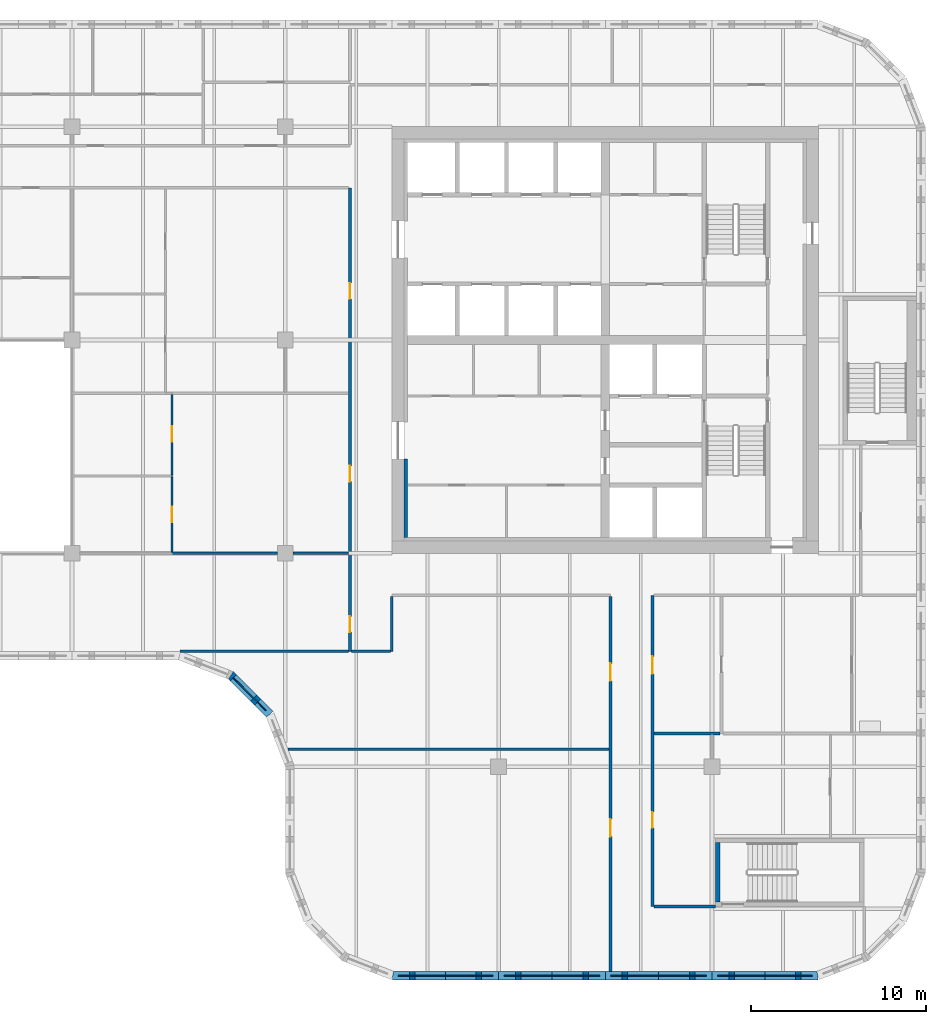
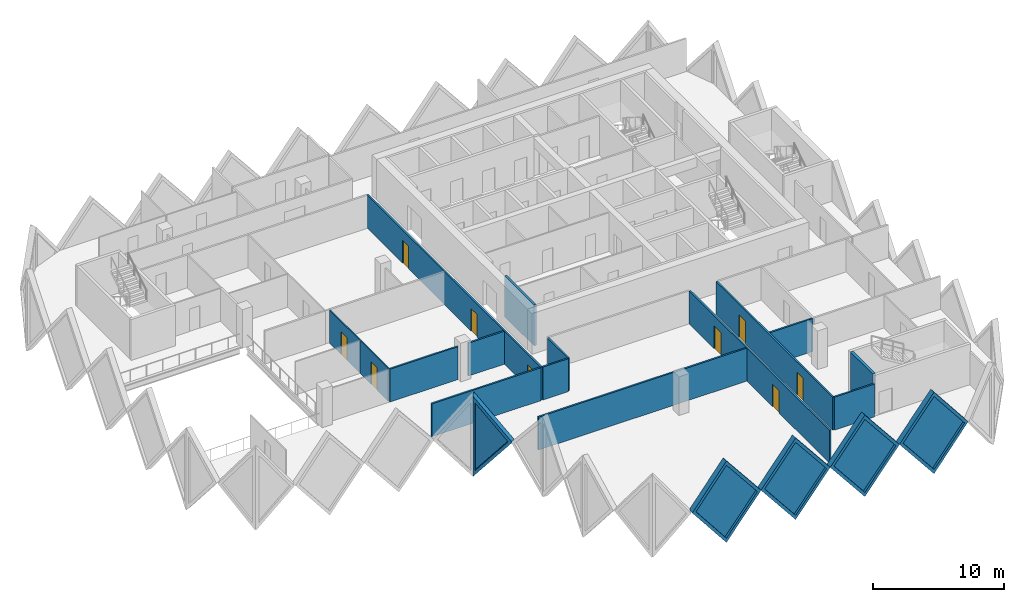
# One storey, part 4 of 12: 20 walls, 9 doors, 5 plates, 14 openings.
"""IFC4 building model written with IfcOpenShell, lengths in metres."""

from ifc_helpers import new_model, si_unit, direction, frame, frame_2d, origin, place, context, subcontext, project, spatial, polyline, rectangle, outline, extrude, faceted_brep, source, transform, mapped, material, layer, layer_set, type_object, element, fill, save


model = new_model("IFC4")

# Units and contexts
model_context = context("Model", 3, precision=1e-05, world=origin(), true_north=direction((0.0, 1.0)))
body_context = subcontext(model_context, "Body", "Model", "MODEL_VIEW")
ifc_project = project(units=[si_unit("LENGTHUNIT", "METRE"), si_unit("AREAUNIT", "SQUARE_METRE"), si_unit("VOLUMEUNIT", "CUBIC_METRE"), si_unit("PLANEANGLEUNIT", "RADIAN"), si_unit("MASSUNIT", "GRAM", prefix="KILO")], contexts=[model_context])

# Site, building, storey
site_placement = place(None, origin())
site = spatial("IfcSite", under=ifc_project, at=site_placement, CompositionType="ELEMENT")
building_placement = place(site_placement, origin())
building = spatial("IfcBuilding", under=site, at=building_placement, Name="Tessera Gate Towers", CompositionType="ELEMENT")
storey_placement = place(building_placement, frame((0.0, 0.0, 124.0)))
storey = spatial("IfcBuildingStorey", under=building, at=storey_placement, Name="L30", CompositionType="ELEMENT", Elevation=124.0)

# Walls
ifc_material_1 = material(Name="Concrete C40/50", Category="concrete")
ifc_layer_1 = layer(ifc_material_1, 0.25)
ifc_layer_set_1 = layer_set([ifc_layer_1], Name="CORE ENCLOSURE WALL 250")
wall_type_1 = type_object("IfcWallType", Name="CORE ENCLOSURE WALL 250", PredefinedType="SOLIDWALL", material=ifc_layer_set_1)
wall_1_placement = place(storey_placement, frame((49.125, 4.449951171875, 0.0), z_axis=(0.0, 0.0, 1.0), x_axis=(0.0, 1.0, 0.0)))
element("IfcWall", 1, at=wall_1_placement, inside=storey, type_object=wall_type_1, Name="L30 ST4 enclosure wall", PredefinedType="SOLIDWALL", context=body_context, shape_type="SweptSolid", body=[
    extrude(rectangle(XDim=3.400146484375, YDim=0.25, at=frame_2d((1.7001953125, 0.0))), origin(), (0.0, 0.0, 1.0), 3.800048828125),
])
ifc_material_2 = material(Name="Concrete C60/75", Category="concrete")
ifc_layer_2 = layer(ifc_material_2, 0.199951171875)
ifc_layer_set_2 = layer_set([ifc_layer_2], Name="CORE WALL THICKENING 200")
wall_type_2 = type_object("IfcWallType", Name="CORE WALL THICKENING 200", PredefinedType="SOLIDWALL", material=ifc_layer_set_2)
wall_2_placement = place(storey_placement, frame((31.300048828125, 25.300048828125, 0.0), z_axis=(0.0, 0.0, 1.0), x_axis=(0.0, 1.0, 0.0)))
element("IfcWall", 2, at=wall_2_placement, inside=storey, type_object=wall_type_2, Name="Core wall thickening W L30", PredefinedType="SOLIDWALL", context=body_context, shape_type="SweptSolid", body=[
    extrude(rectangle(XDim=4.5, YDim=0.199951171875, at=frame_2d((2.25, 0.0))), origin(), (0.0, 0.0, 1.0), 3.800048828125),
])

# Wall, openings, doors
ifc_material_3 = material(Name="Gypsum board on steel studs, mineral wool", Category="steel")
ifc_layer_3 = layer(ifc_material_3, 0.14990234375)
ifc_layer_set_3 = layer_set([ifc_layer_3], Name="CORRIDOR WALL 150")
wall_type_3 = type_object("IfcWallType", Name="CORRIDOR WALL 150", PredefinedType="PARTITIONING", material=ifc_layer_set_3)
wall_3_placement = place(storey_placement, frame((43.0, 0.5, 0.0), z_axis=(0.0, 0.0, 1.0), x_axis=(0.0, 1.0, 0.0)))
wall_3 = element("IfcWall", 3, at=wall_3_placement, inside=storey, type_object=wall_type_3, Name="T1-L30-PW-001", PredefinedType="PARTITIONING", context=body_context, shape_type="SweptSolid", body=[
    extrude(rectangle(XDim=21.424072265625, YDim=0.14990234375, at=frame_2d((10.7119140625, 0.0))), origin(), (0.0, 0.0, 1.0), 3.06689453125),
])
shared_shape_1 = source(origin(), body_context, "Body", "SweptSolid", [
    extrude(rectangle(XDim=1.0, YDim=2.10009765625, at=frame_2d((0.5, 1.050048828125))), frame((0.0, 0.0849609375, 0.0), z_axis=(0.0, -1.0, 0.0), x_axis=(1.0, 0.0, 0.0)), (0.0, 0.0, 1.0), 0.169921875),
])
opening_1_placement = place(wall_3_placement, frame((16.60107421875, 0.0, 0.0)))
opening_1 = element("IfcOpeningElement", 4, at=opening_1_placement, cuts=wall_3, Name="Opening D2100FD60-A11-02", PredefinedType="OPENING", context=body_context, shape_type="MappedRepresentation", body=[
    mapped(shared_shape_1, transform((0.0, 0.0, 0.0), scale=1.0)),
])
opening_2_placement = place(wall_3_placement, frame((7.699951171875, 0.0, 0.0)))
opening_2 = element("IfcOpeningElement", 5, at=opening_2_placement, cuts=wall_3, Name="Opening D2100FD60-A11-03", PredefinedType="OPENING", context=body_context, shape_type="MappedRepresentation", body=[
    mapped(shared_shape_1, transform((0.0, 0.0, 0.0), scale=1.0)),
])
ifc_material_4 = material(Name="Timber door leaf in steel frame", Category="steel")
door_type_1 = type_object("IfcDoorType", Name="TENANCY ENTRANCE DOOR 1000 FD60", OperationType="NOTDEFINED", PredefinedType="DOOR", material=ifc_material_4)
shared_shape_2 = source(origin(), body_context, "Body", "SweptSolid", [
    extrude(rectangle(XDim=1.0, YDim=2.10009765625, at=frame_2d((0.5, 1.050048828125))), frame((0.0, 0.02490234375, 0.0), z_axis=(0.0, -1.0, 0.0), x_axis=(1.0, 0.0, 0.0)), (0.0, 0.0, 1.0), 0.050048828125),
])
door_1_placement = place(opening_1_placement, origin())
door_1 = element("IfcDoor", 6, at=door_1_placement, inside=storey, type_object=door_type_1, Name="T1-L30-PD-018", OperationType="SINGLE_SWING_LEFT", OverallHeight=2.10009765625, OverallWidth=1.0, PredefinedType="DOOR", context=body_context, shape_type="MappedRepresentation", body=[
    mapped(shared_shape_2, transform((0.0, 0.0, 0.0), scale=1.0)),
])
fill(opening_1, door_1)
door_2_placement = place(opening_2_placement, origin())
door_2 = element("IfcDoor", 7, at=door_2_placement, inside=storey, type_object=door_type_1, Name="T1-L30-PD-019", OperationType="SINGLE_SWING_LEFT", OverallHeight=2.10009765625, OverallWidth=1.0, PredefinedType="DOOR", context=body_context, shape_type="MappedRepresentation", body=[
    mapped(shared_shape_2, transform((0.0, 0.0, 0.0), scale=1.0)),
])
fill(opening_2, door_2)

wall_4_placement = place(storey_placement, frame((45.39990234375, 22.0, 0.0), z_axis=(0.0, 0.0, 1.0), x_axis=(0.0, -1.0, 0.0)))
wall_4 = element("IfcWall", 8, at=wall_4_placement, inside=storey, type_object=wall_type_3, Name="T1-L30-PW-003", PredefinedType="PARTITIONING", context=body_context, shape_type="SweptSolid", body=[
    extrude(rectangle(XDim=17.800048828125, YDim=0.14990234375, at=frame_2d((8.89990234375, 0.0))), origin(), (0.0, 0.0, 1.0), 3.06689453125),
])
opening_3_placement = place(wall_4_placement, frame((3.4990234375, 0.0, 0.0)))
opening_3 = element("IfcOpeningElement", 9, at=opening_3_placement, cuts=wall_4, Name="Opening D2100FD60-A11-01", PredefinedType="OPENING", context=body_context, shape_type="MappedRepresentation", body=[
    mapped(shared_shape_1, transform((0.0, 0.0, 0.0), scale=1.0)),
])
shared_shape_3 = source(origin(), body_context, "Body", "SweptSolid", [
    extrude(rectangle(XDim=0.89990234375, YDim=2.10009765625, at=frame_2d((0.449951171875, 1.050048828125))), frame((0.0, 0.0849609375, 0.0), z_axis=(0.0, -1.0, 0.0), x_axis=(1.0, 0.0, 0.0)), (0.0, 0.0, 1.0), 0.169921875),
])
opening_4_placement = place(wall_4_placement, frame((12.39990234375, 0.0, 0.0)))
opening_4 = element("IfcOpeningElement", 10, at=opening_4_placement, cuts=wall_4, Name="Opening D890FD60-A11-05", PredefinedType="OPENING", context=body_context, shape_type="MappedRepresentation", body=[
    mapped(shared_shape_3, transform((0.0, 0.0, 0.0), scale=1.0)),
])
ifc_material_5 = material(Name="Timber door leaf in steel frame", Category="steel")
door_type_2 = type_object("IfcDoorType", Name="CORRIDOR DOOR 900 FD60", OperationType="NOTDEFINED", PredefinedType="DOOR", material=ifc_material_5)
shared_shape_4 = source(origin(), body_context, "Body", "SweptSolid", [
    extrude(rectangle(XDim=0.89990234375, YDim=2.10009765625, at=frame_2d((0.449951171875, 1.050048828125))), frame((0.0, 0.02490234375, 0.0), z_axis=(0.0, -1.0, 0.0), x_axis=(1.0, 0.0, 0.0)), (0.0, 0.0, 1.0), 0.050048828125),
])
door_3_placement = place(opening_4_placement, origin())
door_3 = element("IfcDoor", 11, at=door_3_placement, inside=storey, type_object=door_type_2, Name="T1-L30-PD-021", OperationType="SINGLE_SWING_RIGHT", OverallHeight=2.10009765625, OverallWidth=0.89990234375, PredefinedType="DOOR", context=body_context, shape_type="MappedRepresentation", body=[
    mapped(shared_shape_4, transform((0.0, 0.0, 0.0), scale=1.0)),
])
fill(opening_4, door_3)
door_4_placement = place(opening_3_placement, origin())
door_4 = element("IfcDoor", 12, at=door_4_placement, inside=storey, type_object=door_type_1, Name="T1-L30-PD-014", OperationType="SINGLE_SWING_RIGHT", OverallHeight=2.10009765625, OverallWidth=1.0, PredefinedType="DOOR", context=body_context, shape_type="MappedRepresentation", body=[
    mapped(shared_shape_2, transform((0.0, 0.0, 0.0), scale=1.0)),
])
fill(opening_3, door_4)

# Wall
wall_5_placement = place(storey_placement, frame((45.47607421875, 4.199951171875, 0.0), z_axis=(0.0, 0.0, 1.0), x_axis=(1.0, 0.0, 0.0)))
element("IfcWall", 13, at=wall_5_placement, inside=storey, type_object=wall_type_3, Name="T1-L30-PW-004", PredefinedType="PARTITIONING", context=body_context, shape_type="SweptSolid", body=[
    extrude(rectangle(XDim=3.52392578125, YDim=0.14990234375, at=frame_2d((1.761962890625, 0.0))), origin(), (0.0, 0.0, 1.0), 3.06689453125),
])

# Wall, openings, doors
wall_6_placement = place(storey_placement, frame((28.10009765625, 18.800048828125, 0.0), z_axis=(0.0, 0.0, 1.0), x_axis=(0.0, 1.0, 0.0)))
wall_6 = element("IfcWall", 14, at=wall_6_placement, inside=storey, type_object=wall_type_3, Name="T1-L30-PW-013", PredefinedType="PARTITIONING", context=body_context, shape_type="SweptSolid", body=[
    extrude(rectangle(XDim=26.5, YDim=0.14990234375, at=frame_2d((13.25, 0.0))), origin(), (0.0, 0.0, 1.0), 3.06689453125),
])
opening_5_placement = place(wall_6_placement, frame((1.10009765625, 0.0, 0.0)))
opening_5 = element("IfcOpeningElement", 15, at=opening_5_placement, cuts=wall_6, Name="Opening D890FD60-A11-01", PredefinedType="OPENING", context=body_context, shape_type="MappedRepresentation", body=[
    mapped(shared_shape_3, transform((0.0, 0.0, 0.0), scale=1.0)),
])
opening_6_placement = place(wall_6_placement, frame((9.699951171875, 0.0, 0.0)))
opening_6 = element("IfcOpeningElement", 16, at=opening_6_placement, cuts=wall_6, Name="Opening D890FD60-A11-04", PredefinedType="OPENING", context=body_context, shape_type="MappedRepresentation", body=[
    mapped(shared_shape_3, transform((0.0, 0.0, 0.0), scale=1.0)),
])
opening_7_placement = place(wall_6_placement, frame((20.14990234375, 0.0, 0.0)))
opening_7 = element("IfcOpeningElement", 17, at=opening_7_placement, cuts=wall_6, Name="Opening D890FD60-A11-06", PredefinedType="OPENING", context=body_context, shape_type="MappedRepresentation", body=[
    mapped(shared_shape_3, transform((0.0, 0.0, 0.0), scale=1.0)),
])
door_5_placement = place(opening_5_placement, origin())
door_5 = element("IfcDoor", 18, at=door_5_placement, inside=storey, type_object=door_type_2, Name="T1-L30-PD-001", OperationType="SINGLE_SWING_LEFT", OverallHeight=2.10009765625, OverallWidth=0.89990234375, PredefinedType="DOOR", context=body_context, shape_type="MappedRepresentation", body=[
    mapped(shared_shape_4, transform((0.0, 0.0, 0.0), scale=1.0)),
])
fill(opening_5, door_5)
door_6_placement = place(opening_6_placement, origin())
door_6 = element("IfcDoor", 19, at=door_6_placement, inside=storey, type_object=door_type_2, Name="T1-L30-PD-020", OperationType="SINGLE_SWING_LEFT", OverallHeight=2.10009765625, OverallWidth=0.89990234375, PredefinedType="DOOR", context=body_context, shape_type="MappedRepresentation", body=[
    mapped(shared_shape_4, transform((0.0, 0.0, 0.0), scale=1.0)),
])
fill(opening_6, door_6)
door_7_placement = place(opening_7_placement, origin())
door_7 = element("IfcDoor", 20, at=door_7_placement, inside=storey, type_object=door_type_2, Name="T1-L30-PD-022", OperationType="SINGLE_SWING_LEFT", OverallHeight=2.10009765625, OverallWidth=0.89990234375, PredefinedType="DOOR", context=body_context, shape_type="MappedRepresentation", body=[
    mapped(shared_shape_4, transform((0.0, 0.0, 0.0), scale=1.0)),
])
fill(opening_7, door_7)

# Walls
wall_7_placement = place(storey_placement, frame((28.176025390625, 18.800048828125, 0.0), z_axis=(0.0, 0.0, 1.0), x_axis=(1.0, 0.0, 0.0)))
element("IfcWall", 21, at=wall_7_placement, inside=storey, type_object=wall_type_3, Name="T1-L30-PW-014", PredefinedType="PARTITIONING", context=body_context, shape_type="SweptSolid", body=[
    extrude(rectangle(XDim=2.248046875, YDim=0.14990234375, at=frame_2d((1.1240234375, 0.0))), origin(), (0.0, 0.0, 1.0), 3.06689453125),
])
wall_8_placement = place(storey_placement, frame((30.5, 18.800048828125, 0.0), z_axis=(0.0, 0.0, 1.0), x_axis=(0.0, 1.0, 0.0)))
element("IfcWall", 22, at=wall_8_placement, inside=storey, type_object=wall_type_3, Name="T1-L30-PW-015", PredefinedType="PARTITIONING", context=body_context, shape_type="SweptSolid", body=[
    extrude(rectangle(XDim=3.1240234375, YDim=0.14990234375, at=frame_2d((1.56201171875, 0.0))), origin(), (0.0, 0.0, 1.0), 3.06689453125),
])

# Wall, opening, door
ifc_material_6 = material(Name="Glass", Category="glass")
ifc_layer_4 = layer(ifc_material_6, 0.10009765625)
ifc_layer_set_4 = layer_set([ifc_layer_4], Name="GLAZED PARTITION 100")
wall_type_4 = type_object("IfcWallType", Name="GLAZED PARTITION 100", PredefinedType="PARTITIONING", material=ifc_layer_set_4)
wall_9_placement = place(storey_placement, frame((17.925048828125, 24.47607421875, 0.0), z_axis=(0.0, 0.0, 1.0), x_axis=(0.0, 1.0, 0.0)))
wall_9 = element("IfcWall", 23, at=wall_9_placement, inside=storey, type_object=wall_type_4, Name="T1-L30-PW-024", PredefinedType="PARTITIONING", context=body_context, shape_type="SweptSolid", body=[
    extrude(rectangle(XDim=4.293212890625, YDim=0.10009765625, at=frame_2d((2.146484375, 0.0))), origin(), (0.0, 0.0, 1.0), 3.06689453125),
])
shared_shape_5 = source(origin(), body_context, "Body", "SweptSolid", [
    extrude(rectangle(XDim=0.89990234375, YDim=2.10009765625, at=frame_2d((0.449951171875, 1.050048828125))), frame((0.0, 0.06005859375, 0.0), z_axis=(0.0, -1.0, 0.0), x_axis=(1.0, 0.0, 0.0)), (0.0, 0.0, 1.0), 0.1201171875),
])
opening_8_placement = place(wall_9_placement, frame((1.699951171875, 0.0, 0.0)))
opening_8 = element("IfcOpeningElement", 24, at=opening_8_placement, cuts=wall_9, Name="Opening D690-A11-01", PredefinedType="OPENING", context=body_context, shape_type="MappedRepresentation", body=[
    mapped(shared_shape_5, transform((0.0, 0.0, 0.0), scale=1.0)),
])
ifc_material_7 = material(Name="Glass in aluminium frame", Category="aluminium")
door_type_3 = type_object("IfcDoorType", Name="GLAZED DOOR 900 NOT RATED", OperationType="NOTDEFINED", PredefinedType="DOOR", material=ifc_material_7)
door_8_placement = place(opening_8_placement, origin())
door_8 = element("IfcDoor", 25, at=door_8_placement, inside=storey, type_object=door_type_3, Name="T1-L30-PD-002", OperationType="SINGLE_SWING_LEFT", OverallHeight=2.10009765625, OverallWidth=0.89990234375, PredefinedType="DOOR", context=body_context, shape_type="MappedRepresentation", body=[
    mapped(shared_shape_4, transform((0.0, 0.0, 0.0), scale=1.0)),
])
fill(opening_8, door_8)

wall_10_placement = place(storey_placement, frame((17.925048828125, 28.871337890625, 0.0), z_axis=(0.0, 0.0, 1.0), x_axis=(0.0, 1.0, 0.0)))
wall_10 = element("IfcWall", 26, at=wall_10_placement, inside=storey, type_object=wall_type_4, Name="T1-L30-PW-026", PredefinedType="PARTITIONING", context=body_context, shape_type="SweptSolid", body=[
    extrude(rectangle(XDim=4.602783203125, YDim=0.10009765625, at=frame_2d((2.30126953125, 0.0))), origin(), (0.0, 0.0, 1.0), 3.06689453125),
])
opening_9_placement = place(wall_10_placement, frame((1.89990234375, 0.0, 0.0)))
opening_9 = element("IfcOpeningElement", 27, at=opening_9_placement, cuts=wall_10, Name="Opening D690-A11-02", PredefinedType="OPENING", context=body_context, shape_type="MappedRepresentation", body=[
    mapped(shared_shape_5, transform((0.0, 0.0, 0.0), scale=1.0)),
])
door_9_placement = place(opening_9_placement, origin())
door_9 = element("IfcDoor", 28, at=door_9_placement, inside=storey, type_object=door_type_3, Name="T1-L30-PD-003", OperationType="SINGLE_SWING_LEFT", OverallHeight=2.10009765625, OverallWidth=0.89990234375, PredefinedType="DOOR", context=body_context, shape_type="MappedRepresentation", body=[
    mapped(shared_shape_4, transform((0.0, 0.0, 0.0), scale=1.0)),
])
fill(opening_9, door_9)

# Walls
ifc_material_8 = material(Name="Gypsum board on steel studs, mineral wool", Category="steel")
ifc_layer_5 = layer(ifc_material_8, 0.14990234375)
ifc_layer_set_5 = layer_set([ifc_layer_5], Name="TENANCY WALL 150")
wall_type_5 = type_object("IfcWallType", Name="TENANCY WALL 150", PredefinedType="PARTITIONING", material=ifc_layer_set_5)
wall_11_placement = place(storey_placement, frame((24.55029296875, 13.199951171875, 0.0), z_axis=(0.0, 0.0, 1.0), x_axis=(1.0, 0.0, 0.0)))
element("IfcWall", 29, at=wall_11_placement, inside=storey, type_object=wall_type_5, Name="T1-L30-PW-007", PredefinedType="PARTITIONING", context=body_context, shape_type="SweptSolid", body=[
    extrude(rectangle(XDim=18.373779296875, YDim=0.14990234375, at=frame_2d((9.18701171875, 0.0))), origin(), (0.0, 0.0, 1.0), 3.06689453125),
])
wall_12_placement = place(storey_placement, frame((45.47607421875, 14.10009765625, 0.0), z_axis=(0.0, 0.0, 1.0), x_axis=(1.0, 0.0, 0.0)))
element("IfcWall", 30, at=wall_12_placement, inside=storey, type_object=wall_type_5, Name="T1-L30-PW-008", PredefinedType="PARTITIONING", context=body_context, shape_type="SweptSolid", body=[
    extrude(rectangle(XDim=3.7978515625, YDim=0.14990234375, at=frame_2d((1.89892578125, 0.0))), origin(), (0.0, 0.0, 1.0), 3.06689453125),
])
wall_13_placement = place(storey_placement, frame((18.39306640625, 18.800048828125, 0.0), z_axis=(0.0, 0.0, 1.0), x_axis=(1.0, 0.0, 0.0)))
element("IfcWall", 31, at=wall_13_placement, inside=storey, type_object=wall_type_5, Name="T1-L30-PW-012", PredefinedType="PARTITIONING", context=body_context, shape_type="SweptSolid", body=[
    extrude(rectangle(XDim=9.630859375, YDim=0.14990234375, at=frame_2d((4.8154296875, 0.0))), origin(), (0.0, 0.0, 1.0), 3.06689453125),
])
wall_14_placement = place(storey_placement, frame((17.925048828125, 24.39990234375, 0.0), z_axis=(0.0, 0.0, 1.0), x_axis=(1.0, 0.0, 0.0)))
element("IfcWall", 32, at=wall_14_placement, inside=storey, type_object=wall_type_5, Name="T1-L30-PW-022", PredefinedType="PARTITIONING", context=body_context, shape_type="SweptSolid", body=[
    extrude(rectangle(XDim=6.02392578125, YDim=0.14990234375, at=frame_2d((3.011962890625, 0.0))), origin(), (0.0, 0.0, 1.0), 3.06689453125),
])
wall_15_placement = place(storey_placement, frame((24.85107421875, 24.39990234375, 0.0), z_axis=(0.0, 0.0, 1.0), x_axis=(1.0, 0.0, 0.0)))
element("IfcWall", 33, at=wall_15_placement, inside=storey, type_object=wall_type_5, Name="T1-L30-PW-023", PredefinedType="PARTITIONING", context=body_context, shape_type="SweptSolid", body=[
    extrude(rectangle(XDim=3.1728515625, YDim=0.14990234375, at=frame_2d((1.58642578125, 0.0))), origin(), (0.0, 0.0, 1.0), 3.06689453125),
])

# Wall, opening, plate
ifc_material_9 = material(Name="Precast concrete C60/75 white", Category="concrete")
ifc_layer_6 = layer(ifc_material_9, 0.5)
ifc_layer_set_6 = layer_set([ifc_layer_6], Name="TS1 tessera")
wall_type_6 = type_object("IfcWallType", Name="TS1 tessera", PredefinedType="SOLIDWALL", material=ifc_layer_set_6)
shared_shape_6 = source(origin(), body_context, "Body", "Brep", [
    faceted_brep([(3.00341796875, -0.25, 0.0), (6.053466796875, -0.25, 3.800048828125), (3.00341796875, -0.25, 7.60009765625), (0.0, -0.25, 3.800048828125), (0.046630859375, 0.25, 3.85888671875), (3.00341796875, 0.25, 7.60009765625), (6.053466796875, 0.25, 3.800048828125), (3.00341796875, 0.25, 0.0), (0.046630859375, 0.25, 3.7412109375), (0.0, 0.0, 3.800048828125)], [[[0, 1, 2, 3]], [[4, 5, 6, 7, 8]], [[7, 6, 1, 0]], [[6, 5, 2, 1]], [[5, 4, 9, 3, 2]], [[8, 7, 0, 3, 9]], [[8, 9, 4]]]),
])
wall_16_placement = place(storey_placement, frame((30.546630859375, 0.25, -3.800048828125), z_axis=(0.0, 0.0, 1.0), x_axis=(1.0, 0.0, 0.0)))
wall_16 = element("IfcWall", 34, at=wall_16_placement, inside=storey, type_object=wall_type_6, Name="Precast tessera T1 TS1-0483", PredefinedType="SOLIDWALL", context=body_context, shape_type="MappedRepresentation", body=[
    mapped(shared_shape_6, transform((0.0, 0.0, 0.0), scale=1.0)),
])
shared_shape_7 = source(origin(), body_context, "Body", "SweptSolid", [
    extrude(outline(polyline([(3.0048828125, 0.4013671875), (5.73291015625, 3.800048828125), (3.0048828125, 7.19873046875), (0.318603515625, 3.800048828125), (3.0048828125, 0.4013671875)])), frame((0.0, 0.260009765625, 0.0), z_axis=(0.0, -1.0, 0.0), x_axis=(1.0, 0.0, 0.0)), (0.0, 0.0, 1.0), 0.52001953125),
])
opening_10_placement = place(wall_16_placement, origin())
opening_10 = element("IfcOpeningElement", 35, at=opening_10_placement, cuts=wall_16, Name="Opening T1-PL2-0987", PredefinedType="OPENING", context=body_context, shape_type="MappedRepresentation", body=[
    mapped(shared_shape_7, transform((0.0, 0.0, 0.0), scale=1.0)),
])
ifc_material_10 = material(Name="Low-e laminated glass", Category="glass")
ifc_layer_7 = layer(ifc_material_10, 0.06005859375)
ifc_layer_set_7 = layer_set([ifc_layer_7], Name="PL2 rhombic pane")
plate_type = type_object("IfcPlateType", Name="PL2 rhombic pane", PredefinedType="SHEET", material=ifc_layer_set_7)
shared_shape_8 = source(origin(), body_context, "Body", "SweptSolid", [
    extrude(outline(polyline([(3.0048828125, 0.4013671875), (5.73291015625, 3.800048828125), (3.0048828125, 7.19873046875), (0.318603515625, 3.800048828125), (3.0048828125, 0.4013671875)])), frame((0.0, 0.030029296875, 0.0), z_axis=(0.0, -1.0, 0.0), x_axis=(1.0, 0.0, 0.0)), (0.0, 0.0, 1.0), 0.06005859375),
])
plate_1_placement = place(opening_10_placement, origin())
plate_1 = element("IfcPlate", 36, at=plate_1_placement, inside=storey, type_object=plate_type, Name="Glass pane T1 PL2-0987", PredefinedType="SHEET", context=body_context, shape_type="MappedRepresentation", body=[
    mapped(shared_shape_8, transform((0.0, 0.0, 0.0), scale=1.0)),
])
fill(opening_10, plate_1)

shared_shape_9 = source(origin(), body_context, "Body", "Brep", [
    faceted_brep([(3.050048828125, -0.25, 0.0), (6.099853515625, -0.25, 3.7998046875), (6.099853515625, -0.25, 3.80029296875), (3.050048828125, -0.25, 7.60009765625), (0.0, -0.25, 3.800048828125), (0.0, 0.25, 3.800048828125), (3.050048828125, 0.25, 7.60009765625), (6.099853515625, 0.25, 3.80029296875), (6.099853515625, 0.25, 3.7998046875), (3.050048828125, 0.25, 0.0)], [[[0, 1, 2, 3, 4]], [[5, 6, 7, 8, 9]], [[9, 8, 1, 0]], [[7, 6, 3, 2]], [[6, 5, 4, 3]], [[5, 9, 0, 4]], [[1, 8, 7, 2]]]),
])
wall_17_placement = place(storey_placement, frame((36.60009765625, 0.25, -3.800048828125), z_axis=(0.0, 0.0, 1.0), x_axis=(1.0, 0.0, 0.0)))
wall_17 = element("IfcWall", 37, at=wall_17_placement, inside=storey, type_object=wall_type_6, Name="Precast tessera T1 TS1-0484", PredefinedType="SOLIDWALL", context=body_context, shape_type="MappedRepresentation", body=[
    mapped(shared_shape_9, transform((0.0, 0.0, 0.0), scale=1.0)),
])
shared_shape_10 = source(origin(), body_context, "Body", "SweptSolid", [
    extrude(outline(polyline([(3.050048828125, 0.3994140625), (5.779541015625, 3.800048828125), (3.050048828125, 7.20068359375), (0.320556640625, 3.800048828125), (3.050048828125, 0.3994140625)])), frame((0.0, 0.260009765625, 0.0), z_axis=(0.0, -1.0, 0.0), x_axis=(1.0, 0.0, 0.0)), (0.0, 0.0, 1.0), 0.52001953125),
])
opening_11_placement = place(wall_17_placement, origin())
opening_11 = element("IfcOpeningElement", 38, at=opening_11_placement, cuts=wall_17, Name="Opening T1-PL2-0988", PredefinedType="OPENING", context=body_context, shape_type="MappedRepresentation", body=[
    mapped(shared_shape_10, transform((0.0, 0.0, 0.0), scale=1.0)),
])
shared_shape_11 = source(origin(), body_context, "Body", "SweptSolid", [
    extrude(outline(polyline([(3.050048828125, 0.3994140625), (5.779541015625, 3.800048828125), (3.050048828125, 7.20068359375), (0.320556640625, 3.800048828125), (3.050048828125, 0.3994140625)])), frame((0.0, 0.030029296875, 0.0), z_axis=(0.0, -1.0, 0.0), x_axis=(1.0, 0.0, 0.0)), (0.0, 0.0, 1.0), 0.06005859375),
])
plate_2_placement = place(opening_11_placement, origin())
plate_2 = element("IfcPlate", 39, at=plate_2_placement, inside=storey, type_object=plate_type, Name="Glass pane T1 PL2-0988", PredefinedType="SHEET", context=body_context, shape_type="MappedRepresentation", body=[
    mapped(shared_shape_11, transform((0.0, 0.0, 0.0), scale=1.0)),
])
fill(opening_11, plate_2)

shared_shape_12 = source(origin(), body_context, "Body", "SweptSolid", [
    extrude(outline(polyline([(3.050048828125, 0.0), (6.10009765625, 3.800048828125), (3.050048828125, 7.60009765625), (0.0, 3.800048828125), (3.050048828125, 0.0)])), frame((0.0, 0.25, 0.0), z_axis=(0.0, -1.0, 0.0), x_axis=(1.0, 0.0, 0.0)), (0.0, 0.0, 1.0), 0.5),
])
wall_18_placement = place(storey_placement, frame((42.699951171875, 0.25, -3.800048828125), z_axis=(0.0, 0.0, 1.0), x_axis=(1.0, 0.0, 0.0)))
wall_18 = element("IfcWall", 40, at=wall_18_placement, inside=storey, type_object=wall_type_6, Name="Precast tessera T1 TS1-0485", PredefinedType="SOLIDWALL", context=body_context, shape_type="MappedRepresentation", body=[
    mapped(shared_shape_12, transform((0.0, 0.0, 0.0), scale=1.0)),
])
opening_12_placement = place(wall_18_placement, origin())
opening_12 = element("IfcOpeningElement", 41, at=opening_12_placement, cuts=wall_18, Name="Opening T1-PL2-0989", PredefinedType="OPENING", context=body_context, shape_type="MappedRepresentation", body=[
    mapped(shared_shape_10, transform((0.0, 0.0, 0.0), scale=1.0)),
])
plate_3_placement = place(opening_12_placement, origin())
plate_3 = element("IfcPlate", 42, at=plate_3_placement, inside=storey, type_object=plate_type, Name="Glass pane T1 PL2-0989", PredefinedType="SHEET", context=body_context, shape_type="MappedRepresentation", body=[
    mapped(shared_shape_11, transform((0.0, 0.0, 0.0), scale=1.0)),
])
fill(opening_12, plate_3)

shared_shape_13 = source(origin(), body_context, "Body", "Brep", [
    faceted_brep([(3.050048828125, -0.25, 0.0), (6.053466796875, -0.25, 3.800048828125), (3.050048828125, -0.25, 7.60009765625), (0.0, -0.25, 3.800048828125), (0.0, 0.25, 3.800048828125), (3.050048828125, 0.25, 7.60009765625), (6.0068359375, 0.25, 3.85888671875), (6.0068359375, 0.25, 3.7412109375), (3.050048828125, 0.25, 0.0), (6.053466796875, 0.0, 3.800048828125)], [[[0, 1, 2, 3]], [[4, 5, 6, 7, 8]], [[8, 7, 9, 1, 0]], [[6, 5, 2, 1, 9]], [[5, 4, 3, 2]], [[4, 8, 0, 3]], [[9, 7, 6]]]),
])
wall_19_placement = place(storey_placement, frame((48.800048828125, 0.25, -3.800048828125), z_axis=(0.0, 0.0, 1.0), x_axis=(1.0, 0.0, 0.0)))
wall_19 = element("IfcWall", 43, at=wall_19_placement, inside=storey, type_object=wall_type_6, Name="Precast tessera T1 TS1-0486", PredefinedType="SOLIDWALL", context=body_context, shape_type="MappedRepresentation", body=[
    mapped(shared_shape_13, transform((0.0, 0.0, 0.0), scale=1.0)),
])
shared_shape_14 = source(origin(), body_context, "Body", "SweptSolid", [
    extrude(outline(polyline([(3.048583984375, 0.4013671875), (5.73486328125, 3.800048828125), (3.048583984375, 7.19873046875), (0.320556640625, 3.800048828125), (3.048583984375, 0.4013671875)])), frame((0.0, 0.260009765625, 0.0), z_axis=(0.0, -1.0, 0.0), x_axis=(1.0, 0.0, 0.0)), (0.0, 0.0, 1.0), 0.52001953125),
])
opening_13_placement = place(wall_19_placement, origin())
opening_13 = element("IfcOpeningElement", 44, at=opening_13_placement, cuts=wall_19, Name="Opening T1-PL2-0990", PredefinedType="OPENING", context=body_context, shape_type="MappedRepresentation", body=[
    mapped(shared_shape_14, transform((0.0, 0.0, 0.0), scale=1.0)),
])
shared_shape_15 = source(origin(), body_context, "Body", "SweptSolid", [
    extrude(outline(polyline([(3.048583984375, 0.4013671875), (5.73486328125, 3.800048828125), (3.048583984375, 7.19873046875), (0.320556640625, 3.800048828125), (3.048583984375, 0.4013671875)])), frame((0.0, 0.030029296875, 0.0), z_axis=(0.0, -1.0, 0.0), x_axis=(1.0, 0.0, 0.0)), (0.0, 0.0, 1.0), 0.06005859375),
])
plate_4_placement = place(opening_13_placement, origin())
plate_4 = element("IfcPlate", 45, at=plate_4_placement, inside=storey, type_object=plate_type, Name="Glass pane T1 PL2-0990", PredefinedType="SHEET", context=body_context, shape_type="MappedRepresentation", body=[
    mapped(shared_shape_15, transform((0.0, 0.0, 0.0), scale=1.0)),
])
fill(opening_13, plate_4)

ifc_material_11 = material(Name="Precast concrete C60/75 white", Category="concrete")
ifc_layer_8 = layer(ifc_material_11, 0.5)
ifc_layer_set_8 = layer_set([ifc_layer_8], Name="TS3 corner tessera")
wall_type_7 = type_object("IfcWallType", Name="TS3 corner tessera", PredefinedType="SOLIDWALL", material=ifc_layer_set_8)
shared_shape_16 = source(origin(), body_context, "Body", "Brep", [
    faceted_brep([(0.10595703125, -0.25, 0.063720703125), (3.156005859375, -0.25, 3.736328125), (3.156005859375, -0.25, 3.86376953125), (0.10595703125, -0.25, 7.536376953125), (0.0, 0.25, 7.5361328125), (0.052978515625, 0.25, 7.60009765625), (3.208740234375, 0.25, 3.800048828125), (0.052978515625, 0.25, 0.0), (0.0, 0.25, 0.06396484375), (3.208740234375, -0.00048828125, 3.800048828125), (0.052978515625, 0.0, 0.0), (0.052978515625, 0.0, 7.60009765625)], [[[0, 1, 2, 3]], [[4, 5, 6, 7, 8]], [[7, 6, 9, 1, 0, 10]], [[6, 5, 11, 3, 2, 9]], [[5, 4, 11]], [[8, 7, 10]], [[8, 10, 0, 3, 11, 4]], [[1, 9, 2]]]),
])
wall_20_placement = place(storey_placement, frame((21.24755859375, 17.453857421875, -3.800048828125), z_axis=(0.0, 0.0, 1.0), x_axis=(0.707106781187, -0.707106781187, 0.0)))
wall_20 = element("IfcWall", 46, at=wall_20_placement, inside=storey, type_object=wall_type_7, Name="Precast corner tessera T1 TS3-0690", PredefinedType="SOLIDWALL", context=body_context, shape_type="MappedRepresentation", body=[
    mapped(shared_shape_16, transform((0.0, 0.0, 0.0), scale=1.0)),
])
shared_shape_17 = source(origin(), body_context, "Body", "SweptSolid", [
    extrude(outline(polyline([(0.2529296875, 0.632080078125), (2.8837890625, 3.800048828125), (0.2529296875, 6.968017578125), (0.2529296875, 0.632080078125)])), frame((0.0, 0.260009765625, 0.0), z_axis=(0.0, -1.0, 0.0), x_axis=(1.0, 0.0, 0.0)), (0.0, 0.0, 1.0), 0.52001953125),
])
opening_14_placement = place(wall_20_placement, origin())
opening_14 = element("IfcOpeningElement", 47, at=opening_14_placement, cuts=wall_20, Name="Opening T1-PL2-1027", PredefinedType="OPENING", context=body_context, shape_type="MappedRepresentation", body=[
    mapped(shared_shape_17, transform((0.0, 0.0, 0.0), scale=1.0)),
])
shared_shape_18 = source(origin(), body_context, "Body", "SweptSolid", [
    extrude(outline(polyline([(0.2529296875, 0.632080078125), (2.8837890625, 3.800048828125), (0.2529296875, 6.968017578125), (0.2529296875, 0.632080078125)])), frame((0.0, 0.030029296875, 0.0), z_axis=(0.0, -1.0, 0.0), x_axis=(1.0, 0.0, 0.0)), (0.0, 0.0, 1.0), 0.06005859375),
])
plate_5_placement = place(opening_14_placement, origin())
plate_5 = element("IfcPlate", 48, at=plate_5_placement, inside=storey, type_object=plate_type, Name="Glass pane T1 PL2-1027", PredefinedType="SHEET", context=body_context, shape_type="MappedRepresentation", body=[
    mapped(shared_shape_18, transform((0.0, 0.0, 0.0), scale=1.0)),
])
fill(opening_14, plate_5)

save(model, "model.ifc")
